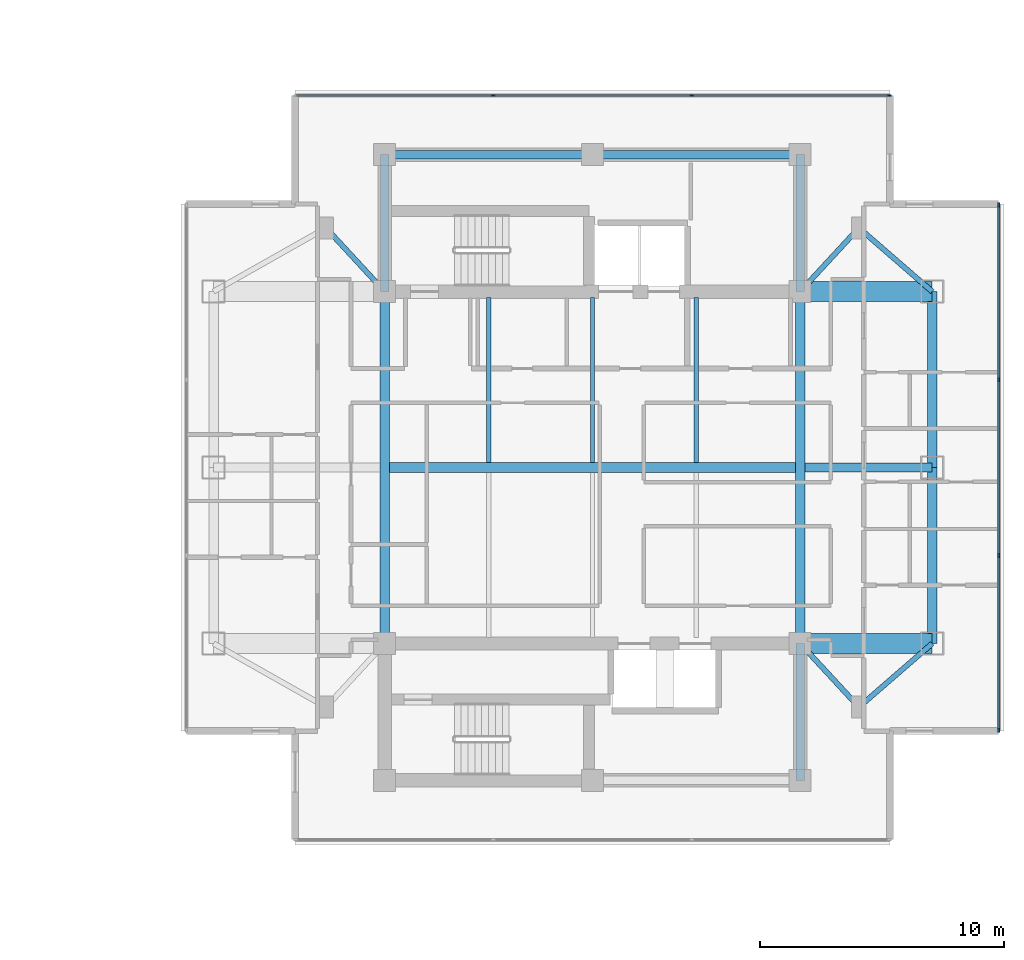
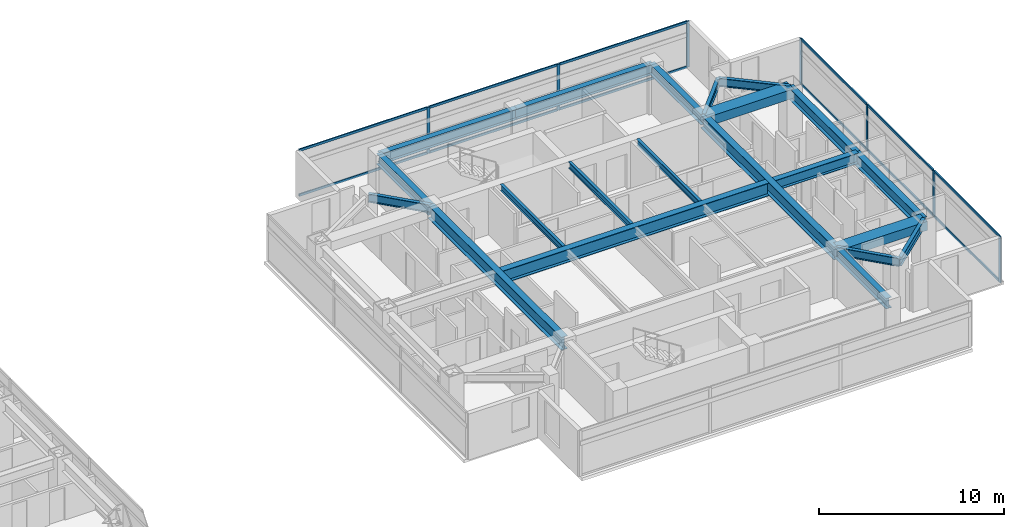
# One storey, part 10 of 24: 21 beams, 19 members, 2 elements without a shape of their own.
"""IFC4 building model written with IfcOpenShell, lengths in metres."""

from ifc_helpers import new_model, si_unit, direction, frame, origin, origin_2d, place, context, subcontext, project, spatial, rectangle, i_section, extrude, material, material_profile, profile_set, type_object, element, aggregate, save


model = new_model("IFC4")

# Units and contexts
model_context = context("Model", 3, precision=1e-05, world=origin(), true_north=direction((0.0, 1.0)))
body_context = subcontext(model_context, "Body", "Model", "MODEL_VIEW")
ifc_project = project(units=[si_unit("LENGTHUNIT", "METRE"), si_unit("AREAUNIT", "SQUARE_METRE"), si_unit("VOLUMEUNIT", "CUBIC_METRE"), si_unit("PLANEANGLEUNIT", "RADIAN"), si_unit("MASSUNIT", "GRAM", prefix="KILO")], contexts=[model_context])

# Site, building, storey
site_placement = place(None, origin())
site = spatial("IfcSite", under=ifc_project, at=site_placement, CompositionType="ELEMENT")
building_placement = place(site_placement, origin())
building = spatial("IfcBuilding", under=site, at=building_placement, Name="Mirazonda Arch Towers", CompositionType="ELEMENT")
storey_placement = place(building_placement, frame((0.0, 0.0, 186.89990234375)))
storey = spatial("IfcBuildingStorey", under=building, at=storey_placement, Name="L53", CompositionType="ELEMENT", Elevation=186.89990234375)

# Beams
ifc_material_1 = material(Name="Steel ASTM A992 Grade 50", Category="steel")
ifc_material_profile_1 = material_profile(ifc_material_1, i_section(OverallWidth=0.381103515625, OverallDepth=0.77294921875, WebThickness=0.0166015625, FlangeThickness=0.027099609375, at=origin_2d()), Name="W30X173")
ifc_profile_set_1 = profile_set([ifc_material_profile_1], Name="Steel ASTM A992 Grade 50")
beam_type_1 = type_object("IfcBeamType", Name="BM-EXT-W30X173", PredefinedType="USERDEFINED", material=ifc_profile_set_1)
for number, where, z_axis, x_axis, name in (
    (1, (90.39990234375, 20.800048828125, 2.66357421875), (0.0, 1.0, 0.0), (-1.0, 0.0, 0.0), "L53 Floor Beam BM-T2-L53-NS-E-20"),
    (2, (90.39990234375, 28.0, 2.66357421875), (0.0, 1.0, 0.0), (-1.0, 0.0, 0.0), "L53 Floor Beam BM-T2-L53-NS-E-28"),
):
    element("IfcBeam", number, at=place(storey_placement, frame(where, z_axis=z_axis, x_axis=x_axis)), inside=storey, type_object=beam_type_1, Name=name, ObjectType="GIRDER", PredefinedType="USERDEFINED", context=body_context, shape_type="SweptSolid", body=[
        extrude(i_section(OverallWidth=0.381103515625, OverallDepth=0.77294921875, WebThickness=0.0166015625, FlangeThickness=0.027099609375, at=origin_2d()), origin(), (0.0, 0.0, 1.0), 7.199951171875),
    ])
ifc_material_profile_2 = material_profile(ifc_material_1, i_section(OverallWidth=0.180908203125, OverallDepth=0.4169921875, WebThickness=0.010986328125, FlangeThickness=0.018310546875, at=origin_2d()), Name="W16X57")
ifc_profile_set_2 = profile_set([ifc_material_profile_2], Name="Steel ASTM A992 Grade 50")
beam_type_2 = type_object("IfcBeamType", Name="BM-INT-W16X57", PredefinedType="JOIST", material=ifc_profile_set_2)
for number, where, z_axis, x_axis, name in (
    (3, (72.25, 28.196044921875, 2.841552734375), (0.0, 1.0, 0.0), (-1.0, 0.0, 0.0), "L53 Floor Beam BM-T2-L53-J-722-28"),
    (4, (76.5, 28.196044921875, 2.841552734375), (0.0, 1.0, 0.0), (-1.0, 0.0, 0.0), "L53 Floor Beam BM-T2-L53-J-765-28"),
    (5, (80.75, 28.196044921875, 2.841552734375), (0.0, 1.0, 0.0), (-1.0, 0.0, 0.0), "L53 Floor Beam BM-T2-L53-J-807-28"),
):
    element("IfcBeam", number, at=place(storey_placement, frame(where, z_axis=z_axis, x_axis=x_axis)), inside=storey, type_object=beam_type_2, Name=name, PredefinedType="JOIST", context=body_context, shape_type="SweptSolid", body=[
        extrude(i_section(OverallWidth=0.180908203125, OverallDepth=0.4169921875, WebThickness=0.010986328125, FlangeThickness=0.018310546875, at=origin_2d()), origin(), (0.0, 0.0, 1.0), 6.763916015625),
    ])
ifc_material_profile_3 = material_profile(ifc_material_1, i_section(OverallWidth=0.214111328125, OverallDepth=0.549072265625, WebThickness=0.0146484375, FlangeThickness=0.023681640625, at=origin_2d()), Name="W21X93")
ifc_profile_set_3 = profile_set([ifc_material_profile_3], Name="Steel ASTM A992 Grade 50")
beam_type_3 = type_object("IfcBeamType", Name="BM-INT-W21X93", PredefinedType="BEAM", material=ifc_profile_set_3)
beam_1_placement = place(storey_placement, frame((87.39990234375, 18.199951171875, 2.775634765625), z_axis=(-0.678251444854, 0.734829897019, 0.0), x_axis=(-0.734829897019, -0.678251444854, 0.0)))
element("IfcBeam", 6, at=beam_1_placement, inside=storey, type_object=beam_type_3, Name="L53 Floor Beam BM-T2-L53-PL-SE1", PredefinedType="BEAM", context=body_context, shape_type="SweptSolid", body=[
    extrude(i_section(OverallWidth=0.214111328125, OverallDepth=0.549072265625, WebThickness=0.0146484375, FlangeThickness=0.023681640625, at=origin_2d()), origin(), (0.0, 0.0, 1.0), 3.538330078125),
])
beam_2_placement = place(storey_placement, frame((87.39990234375, 18.199951171875, 2.775634765625), z_axis=(0.755676908098, 0.654944585876, 0.0), x_axis=(-0.654944585876, 0.755676908098, 0.0)))
element("IfcBeam", 7, at=beam_2_placement, inside=storey, type_object=beam_type_3, Name="L53 Floor Beam BM-T2-L53-PL-SE2", PredefinedType="BEAM", context=body_context, shape_type="SweptSolid", body=[
    extrude(i_section(OverallWidth=0.214111328125, OverallDepth=0.549072265625, WebThickness=0.0146484375, FlangeThickness=0.023681640625, at=origin_2d()), origin(), (0.0, 0.0, 1.0), 3.969970703125),
])
for number, where, z_axis, x_axis, name in (
    (8, (65.60009765625, 37.800048828125, 2.775634765625), (0.678251444854, -0.734829897019, 0.0), (0.734829897019, 0.678251444854, 0.0), "L53 Floor Beam BM-T2-L53-PL-NW1"),
    (9, (87.39990234375, 37.800048828125, 2.775634765625), (-0.678251444854, -0.734829897019, 0.0), (0.734829897019, -0.678251444854, 0.0), "L53 Floor Beam BM-T2-L53-PL-NE1"),
):
    element("IfcBeam", number, at=place(storey_placement, frame(where, z_axis=z_axis, x_axis=x_axis)), inside=storey, type_object=beam_type_3, Name=name, PredefinedType="BEAM", context=body_context, shape_type="SweptSolid", body=[
        extrude(i_section(OverallWidth=0.214111328125, OverallDepth=0.549072265625, WebThickness=0.0146484375, FlangeThickness=0.023681640625, at=origin_2d()), origin(), (0.0, 0.0, 1.0), 3.538330078125),
    ])
beam_3_placement = place(storey_placement, frame((87.39990234375, 37.800048828125, 2.775634765625), z_axis=(0.755676908098, -0.654944585876, 0.0), x_axis=(0.654944585876, 0.755676908098, 0.0)))
element("IfcBeam", 10, at=beam_3_placement, inside=storey, type_object=beam_type_3, Name="L53 Floor Beam BM-T2-L53-PL-NE2", PredefinedType="BEAM", context=body_context, shape_type="SweptSolid", body=[
    extrude(i_section(OverallWidth=0.214111328125, OverallDepth=0.549072265625, WebThickness=0.0146484375, FlangeThickness=0.023681640625, at=origin_2d()), origin(), (0.0, 0.0, 1.0), 3.969970703125),
])
ifc_material_profile_4 = material_profile(ifc_material_1, i_section(OverallWidth=0.35498046875, OverallDepth=0.696044921875, WebThickness=0.015380859375, FlangeThickness=0.02490234375, at=origin_2d()), Name="W27X146")
ifc_profile_set_4 = profile_set([ifc_material_profile_4], Name="Steel ASTM A992 Grade 50")
beam_type_4 = type_object("IfcBeamType", Name="BM-INT-W27X146", PredefinedType="BEAM", material=ifc_profile_set_4)
for number, where, z_axis, x_axis, name in (
    (11, (68.0, 40.800048828125, 2.7021484375), (1.0, 0.0, 0.0), (0.0, 1.0, 0.0), "L53 Floor Beam BM-T2-L53-CN1"),
    (12, (76.5, 40.800048828125, 2.7021484375), (1.0, 0.0, 0.0), (0.0, 1.0, 0.0), "L53 Floor Beam BM-T2-L53-CN2"),
):
    element("IfcBeam", number, at=place(storey_placement, frame(where, z_axis=z_axis, x_axis=x_axis)), inside=storey, type_object=beam_type_4, Name=name, PredefinedType="BEAM", context=body_context, shape_type="SweptSolid", body=[
        extrude(i_section(OverallWidth=0.35498046875, OverallDepth=0.696044921875, WebThickness=0.015380859375, FlangeThickness=0.02490234375, at=origin_2d()), origin(), (0.0, 0.0, 1.0), 8.5),
    ])
for number, where, z_axis, x_axis, name in (
    (13, (85.0, 15.199951171875, 2.7021484375), (0.0, 1.0, 0.0), (-1.0, 0.0, 0.0), "L53 Floor Beam BM-T2-L53-CSE"),
    (14, (68.0, 35.199951171875, 2.7021484375), (0.0, 1.0, 0.0), (-1.0, 0.0, 0.0), "L53 Floor Beam BM-T2-L53-CNW"),
    (15, (85.0, 35.199951171875, 2.7021484375), (0.0, 1.0, 0.0), (-1.0, 0.0, 0.0), "L53 Floor Beam BM-T2-L53-CNE"),
):
    element("IfcBeam", number, at=place(storey_placement, frame(where, z_axis=z_axis, x_axis=x_axis)), inside=storey, type_object=beam_type_4, Name=name, PredefinedType="BEAM", context=body_context, shape_type="SweptSolid", body=[
        extrude(i_section(OverallWidth=0.35498046875, OverallDepth=0.696044921875, WebThickness=0.015380859375, FlangeThickness=0.02490234375, at=origin_2d()), origin(), (0.0, 0.0, 1.0), 5.60009765625),
    ])
beam_4_placement = place(storey_placement, frame((85.199951171875, 28.0, 2.7021484375), z_axis=(1.0, 0.0, 0.0), x_axis=(0.0, 1.0, 0.0)))
element("IfcBeam", 16, at=beam_4_placement, inside=storey, type_object=beam_type_4, Name="L53 Floor Beam BM-T2-L53-GE2", PredefinedType="BEAM", context=body_context, shape_type="SweptSolid", body=[
    extrude(i_section(OverallWidth=0.35498046875, OverallDepth=0.696044921875, WebThickness=0.015380859375, FlangeThickness=0.02490234375, at=origin_2d()), origin(), (0.0, 0.0, 1.0), 5.199951171875),
])
ifc_material_profile_5 = material_profile(ifc_material_1, i_section(OverallWidth=0.39990234375, OverallDepth=0.85595703125, WebThickness=0.018310546875, FlangeThickness=0.029296875, at=origin_2d()), Name="W33X201")
ifc_profile_set_5 = profile_set([ifc_material_profile_5], Name="Steel ASTM A992 Grade 50")
beam_type_5 = type_object("IfcBeamType", Name="BM-INT-W33X201", PredefinedType="USERDEFINED", material=ifc_profile_set_5)
beam_5_placement = place(storey_placement, frame((68.199951171875, 28.0, 2.6220703125), z_axis=(1.0, 0.0, 0.0), x_axis=(0.0, 1.0, 0.0)))
element("IfcBeam", 17, at=beam_5_placement, inside=storey, type_object=beam_type_5, Name="L53 Floor Beam BM-T2-L53-GC2", ObjectType="GIRDER", PredefinedType="USERDEFINED", context=body_context, shape_type="SweptSolid", body=[
    extrude(i_section(OverallWidth=0.39990234375, OverallDepth=0.85595703125, WebThickness=0.018310546875, FlangeThickness=0.029296875, at=origin_2d()), origin(), (0.0, 0.0, 1.0), 16.60009765625),
])
for number, where, z_axis, x_axis, name in (
    (18, (68.0, 20.800048828125, 2.6220703125), (0.0, 1.0, 0.0), (-1.0, 0.0, 0.0), "L53 Floor Beam BM-T2-L53-NS-CW-FULL"),
    (19, (85.0, 20.800048828125, 2.6220703125), (0.0, 1.0, 0.0), (-1.0, 0.0, 0.0), "L53 Floor Beam BM-T2-L53-NS-CE-FULL"),
):
    element("IfcBeam", number, at=place(storey_placement, frame(where, z_axis=z_axis, x_axis=x_axis)), inside=storey, type_object=beam_type_5, Name=name, ObjectType="GIRDER", PredefinedType="USERDEFINED", context=body_context, shape_type="SweptSolid", body=[
        extrude(i_section(OverallWidth=0.39990234375, OverallDepth=0.85595703125, WebThickness=0.018310546875, FlangeThickness=0.029296875, at=origin_2d()), origin(), (0.0, 0.0, 1.0), 14.39990234375),
    ])
ifc_material_2 = material(Name="Concrete C60/75", Category="concrete")
ifc_material_profile_6 = material_profile(ifc_material_2, rectangle(XDim=0.800048828125, YDim=0.60009765625, at=origin_2d()), Name="RCCB800x600")
ifc_profile_set_6 = profile_set([ifc_material_profile_6], Name="Concrete C60/75")
beam_type_6 = type_object("IfcBeamType", Name="CB-INT-RCCB800x600", PredefinedType="SPANDREL", material=ifc_profile_set_6)
for number, where, z_axis, x_axis, name in (
    (20, (85.0, 35.199951171875, 2.75), (1.0, 0.0, 0.0), (0.0, 1.0, 0.0), "L53 Floor Beam CBC-T2-L53-NE"),
    (21, (85.0, 20.800048828125, 2.75), (1.0, 0.0, 0.0), (0.0, 1.0, 0.0), "L53 Floor Beam CBC-T2-L53-SE"),
):
    element("IfcBeam", number, at=place(storey_placement, frame(where, z_axis=z_axis, x_axis=x_axis)), inside=storey, type_object=beam_type_6, Name=name, PredefinedType="SPANDREL", context=body_context, shape_type="SweptSolid", body=[
        extrude(rectangle(XDim=0.800048828125, YDim=0.60009765625, at=origin_2d()), origin(), (0.0, 0.0, 1.0), 5.39990234375),
    ])

# Curtain wall, members
ifc_material_3 = material(Name="Anodised Aluminium and Low-E Glass", Category="aluminium")
curtain_wall_type = type_object("IfcCurtainWallType", Name="CW-RES-UNIT", PredefinedType="NOTDEFINED", material=ifc_material_3)
curtain_wall_1_placement = place(storey_placement, origin())
curtain_wall_1 = element("IfcCurtainWall", 22, at=curtain_wall_1_placement, inside=storey, type_object=curtain_wall_type, Name="L53 T2 E Facade CW-L53-T2-E", PredefinedType="NOTDEFINED")
ifc_material_4 = material(Name="Anodised Aluminium Alloy", Category="aluminium")
ifc_material_profile_7 = material_profile(ifc_material_4, rectangle(XDim=0.074951171875, YDim=0.175048828125, at=origin_2d()), Name="ALU-MULL-75x175")
ifc_profile_set_7 = profile_set([ifc_material_profile_7], Name="Anodised Aluminium Alloy")
member_type_1 = type_object("IfcMemberType", Name="MULL-CW-RES-UNIT", PredefinedType="MULLION", material=ifc_profile_set_7)
member_1_placement = place(storey_placement, frame((93.115478515625, 17.25537109375, 0.0), z_axis=(0.0, 0.0, 1.0), x_axis=(-1.0, 0.0, 0.0)))
member_1 = element("IfcMember", 23, at=member_1_placement, type_object=member_type_1, Name="CW-104 mullion 1", PredefinedType="MULLION", context=body_context, shape_type="SweptSolid", body=[
    extrude(rectangle(XDim=0.074951171875, YDim=0.175048828125, at=origin_2d()), origin(), (0.0, 0.0, 1.0), 3.030029296875),
])
member_2_placement = place(storey_placement, frame((93.115478515625, 24.406005859375, 0.0), z_axis=(0.0, 0.0, 1.0), x_axis=(-1.0, 0.0, 0.0)))
member_2 = element("IfcMember", 24, at=member_2_placement, type_object=member_type_1, Name="CW-104 mullion 2", PredefinedType="MULLION", context=body_context, shape_type="SweptSolid", body=[
    extrude(rectangle(XDim=0.074951171875, YDim=0.175048828125, at=origin_2d()), origin(), (0.0, 0.0, 1.0), 3.030029296875),
])
member_3_placement = place(storey_placement, frame((93.115478515625, 31.593994140625, 0.0), z_axis=(0.0, 0.0, 1.0), x_axis=(-1.0, 0.0, 0.0)))
member_3 = element("IfcMember", 25, at=member_3_placement, type_object=member_type_1, Name="CW-104 mullion 3", PredefinedType="MULLION", context=body_context, shape_type="SweptSolid", body=[
    extrude(rectangle(XDim=0.074951171875, YDim=0.175048828125, at=origin_2d()), origin(), (0.0, 0.0, 1.0), 3.030029296875),
])
member_4_placement = place(storey_placement, frame((93.115478515625, 38.74462890625, 0.0), z_axis=(0.0, 0.0, 1.0), x_axis=(-1.0, 0.0, 0.0)))
member_4 = element("IfcMember", 26, at=member_4_placement, type_object=member_type_1, Name="CW-104 mullion 4", PredefinedType="MULLION", context=body_context, shape_type="SweptSolid", body=[
    extrude(rectangle(XDim=0.074951171875, YDim=0.175048828125, at=origin_2d()), origin(), (0.0, 0.0, 1.0), 3.030029296875),
])

curtain_wall_2_placement = place(storey_placement, origin())
curtain_wall_2 = element("IfcCurtainWall", 27, at=curtain_wall_2_placement, inside=storey, type_object=curtain_wall_type, Name="L53 T2 N Facade CW-L53-T2-N", PredefinedType="NOTDEFINED")
member_5_placement = place(storey_placement, frame((72.44140625, 43.2216796875, 0.0), z_axis=(0.0, 0.0, 1.0), x_axis=(0.0, 1.0, 0.0)))
member_5 = element("IfcMember", 28, at=member_5_placement, type_object=member_type_1, Name="CW-104 mullion 2", PredefinedType="MULLION", context=body_context, shape_type="SweptSolid", body=[
    extrude(rectangle(XDim=0.074951171875, YDim=0.175048828125, at=origin_2d()), origin(), (0.0, 0.0, 1.0), 3.030029296875),
])
member_6_placement = place(storey_placement, frame((80.55859375, 43.2216796875, 0.0), z_axis=(0.0, 0.0, 1.0), x_axis=(0.0, 1.0, 0.0)))
member_6 = element("IfcMember", 29, at=member_6_placement, type_object=member_type_1, Name="CW-104 mullion 3", PredefinedType="MULLION", context=body_context, shape_type="SweptSolid", body=[
    extrude(rectangle(XDim=0.074951171875, YDim=0.175048828125, at=origin_2d()), origin(), (0.0, 0.0, 1.0), 3.030029296875),
])
member_7_placement = place(storey_placement, frame((88.63818359375, 43.2216796875, 0.0), z_axis=(0.0, 0.0, 1.0), x_axis=(0.0, 1.0, 0.0)))
member_7 = element("IfcMember", 30, at=member_7_placement, type_object=member_type_1, Name="CW-104 mullion 4", PredefinedType="MULLION", context=body_context, shape_type="SweptSolid", body=[
    extrude(rectangle(XDim=0.074951171875, YDim=0.175048828125, at=origin_2d()), origin(), (0.0, 0.0, 1.0), 3.030029296875),
])

# Member
ifc_material_profile_8 = material_profile(ifc_material_4, rectangle(XDim=0.074951171875, YDim=0.155029296875, at=origin_2d()), Name="ALU-TRAN-75x155")
ifc_profile_set_8 = profile_set([ifc_material_profile_8], Name="Anodised Aluminium Alloy")
member_type_2 = type_object("IfcMemberType", Name="TRAN-CW-RES-UNIT", PredefinedType="USERDEFINED", material=ifc_profile_set_8)
member_8_placement = place(storey_placement, frame((93.115478515625, 17.29296875, 0.03759765625), z_axis=(0.0, 1.0, 0.0), x_axis=(-1.0, 0.0, 0.0)))
member_8 = element("IfcMember", 31, at=member_8_placement, type_object=member_type_2, Name="CW-104 transom 1.1", ObjectType="TRANSOM", PredefinedType="USERDEFINED", context=body_context, shape_type="SweptSolid", body=[
    extrude(rectangle(XDim=0.074951171875, YDim=0.155029296875, at=origin_2d()), origin(), (0.0, 0.0, 1.0), 7.075439453125),
])

member_9_placement = place(storey_placement, frame((93.115478515625, 17.29296875, 2.99267578125), z_axis=(0.0, 1.0, 0.0), x_axis=(-1.0, 0.0, 0.0)))
member_9 = element("IfcMember", 32, at=member_9_placement, type_object=member_type_2, Name="CW-104 transom 1.2", ObjectType="TRANSOM", PredefinedType="USERDEFINED", context=body_context, shape_type="SweptSolid", body=[
    extrude(rectangle(XDim=0.074951171875, YDim=0.155029296875, at=origin_2d()), origin(), (0.0, 0.0, 1.0), 7.075439453125),
])

member_10_placement = place(storey_placement, frame((93.115478515625, 24.443359375, 0.03759765625), z_axis=(0.0, 1.0, 0.0), x_axis=(-1.0, 0.0, 0.0)))
member_10 = element("IfcMember", 33, at=member_10_placement, type_object=member_type_2, Name="CW-104 transom 2.1", ObjectType="TRANSOM", PredefinedType="USERDEFINED", context=body_context, shape_type="SweptSolid", body=[
    extrude(rectangle(XDim=0.074951171875, YDim=0.155029296875, at=origin_2d()), origin(), (0.0, 0.0, 1.0), 7.11328125),
])

member_11_placement = place(storey_placement, frame((93.115478515625, 24.443359375, 2.99267578125), z_axis=(0.0, 1.0, 0.0), x_axis=(-1.0, 0.0, 0.0)))
member_11 = element("IfcMember", 34, at=member_11_placement, type_object=member_type_2, Name="CW-104 transom 2.2", ObjectType="TRANSOM", PredefinedType="USERDEFINED", context=body_context, shape_type="SweptSolid", body=[
    extrude(rectangle(XDim=0.074951171875, YDim=0.155029296875, at=origin_2d()), origin(), (0.0, 0.0, 1.0), 7.11328125),
])

member_12_placement = place(storey_placement, frame((93.115478515625, 31.631591796875, 0.03759765625), z_axis=(0.0, 1.0, 0.0), x_axis=(-1.0, 0.0, 0.0)))
member_12 = element("IfcMember", 35, at=member_12_placement, type_object=member_type_2, Name="CW-104 transom 3.1", ObjectType="TRANSOM", PredefinedType="USERDEFINED", context=body_context, shape_type="SweptSolid", body=[
    extrude(rectangle(XDim=0.074951171875, YDim=0.155029296875, at=origin_2d()), origin(), (0.0, 0.0, 1.0), 7.075439453125),
])

member_13_placement = place(storey_placement, frame((93.115478515625, 31.631591796875, 2.99267578125), z_axis=(0.0, 1.0, 0.0), x_axis=(-1.0, 0.0, 0.0)))
member_13 = element("IfcMember", 36, at=member_13_placement, type_object=member_type_2, Name="CW-104 transom 3.2", ObjectType="TRANSOM", PredefinedType="USERDEFINED", context=body_context, shape_type="SweptSolid", body=[
    extrude(rectangle(XDim=0.074951171875, YDim=0.155029296875, at=origin_2d()), origin(), (0.0, 0.0, 1.0), 7.075439453125),
])

aggregate(curtain_wall_1, [member_1, member_2, member_3, member_4, member_8, member_9, member_10, member_11, member_12, member_13])

member_14_placement = place(storey_placement, frame((64.399169921875, 43.2216796875, 0.03759765625), z_axis=(1.0, 0.0, 0.0), x_axis=(0.0, 1.0, 0.0)))
member_14 = element("IfcMember", 37, at=member_14_placement, type_object=member_type_2, Name="CW-104 transom 1.1", ObjectType="TRANSOM", PredefinedType="USERDEFINED", context=body_context, shape_type="SweptSolid", body=[
    extrude(rectangle(XDim=0.074951171875, YDim=0.155029296875, at=origin_2d()), origin(), (0.0, 0.0, 1.0), 8.004638671875),
])

member_15_placement = place(storey_placement, frame((64.399169921875, 43.2216796875, 2.99267578125), z_axis=(1.0, 0.0, 0.0), x_axis=(0.0, 1.0, 0.0)))
member_15 = element("IfcMember", 38, at=member_15_placement, type_object=member_type_2, Name="CW-104 transom 1.2", ObjectType="TRANSOM", PredefinedType="USERDEFINED", context=body_context, shape_type="SweptSolid", body=[
    extrude(rectangle(XDim=0.074951171875, YDim=0.155029296875, at=origin_2d()), origin(), (0.0, 0.0, 1.0), 8.004638671875),
])

member_16_placement = place(storey_placement, frame((72.47900390625, 43.2216796875, 0.03759765625), z_axis=(1.0, 0.0, 0.0), x_axis=(0.0, 1.0, 0.0)))
member_16 = element("IfcMember", 39, at=member_16_placement, type_object=member_type_2, Name="CW-104 transom 2.1", ObjectType="TRANSOM", PredefinedType="USERDEFINED", context=body_context, shape_type="SweptSolid", body=[
    extrude(rectangle(XDim=0.074951171875, YDim=0.155029296875, at=origin_2d()), origin(), (0.0, 0.0, 1.0), 8.0419921875),
])

member_17_placement = place(storey_placement, frame((72.47900390625, 43.2216796875, 2.99267578125), z_axis=(1.0, 0.0, 0.0), x_axis=(0.0, 1.0, 0.0)))
member_17 = element("IfcMember", 40, at=member_17_placement, type_object=member_type_2, Name="CW-104 transom 2.2", ObjectType="TRANSOM", PredefinedType="USERDEFINED", context=body_context, shape_type="SweptSolid", body=[
    extrude(rectangle(XDim=0.074951171875, YDim=0.155029296875, at=origin_2d()), origin(), (0.0, 0.0, 1.0), 8.0419921875),
])

member_18_placement = place(storey_placement, frame((80.59619140625, 43.2216796875, 0.03759765625), z_axis=(1.0, 0.0, 0.0), x_axis=(0.0, 1.0, 0.0)))
member_18 = element("IfcMember", 41, at=member_18_placement, type_object=member_type_2, Name="CW-104 transom 3.1", ObjectType="TRANSOM", PredefinedType="USERDEFINED", context=body_context, shape_type="SweptSolid", body=[
    extrude(rectangle(XDim=0.074951171875, YDim=0.155029296875, at=origin_2d()), origin(), (0.0, 0.0, 1.0), 8.004638671875),
])

member_19_placement = place(storey_placement, frame((80.59619140625, 43.2216796875, 2.99267578125), z_axis=(1.0, 0.0, 0.0), x_axis=(0.0, 1.0, 0.0)))
member_19 = element("IfcMember", 42, at=member_19_placement, type_object=member_type_2, Name="CW-104 transom 3.2", ObjectType="TRANSOM", PredefinedType="USERDEFINED", context=body_context, shape_type="SweptSolid", body=[
    extrude(rectangle(XDim=0.074951171875, YDim=0.155029296875, at=origin_2d()), origin(), (0.0, 0.0, 1.0), 8.004638671875),
])

aggregate(curtain_wall_2, [member_5, member_6, member_7, member_14, member_15, member_16, member_17, member_18, member_19])

save(model, "model.ifc")
